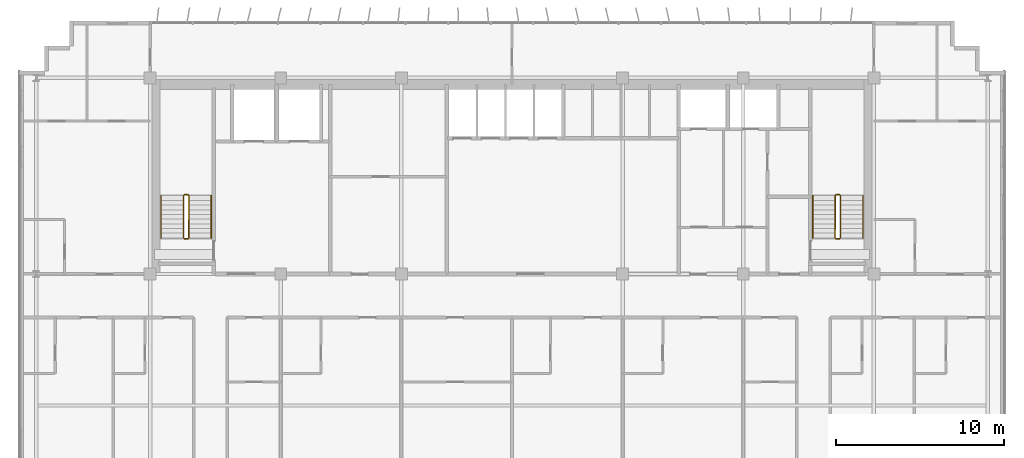
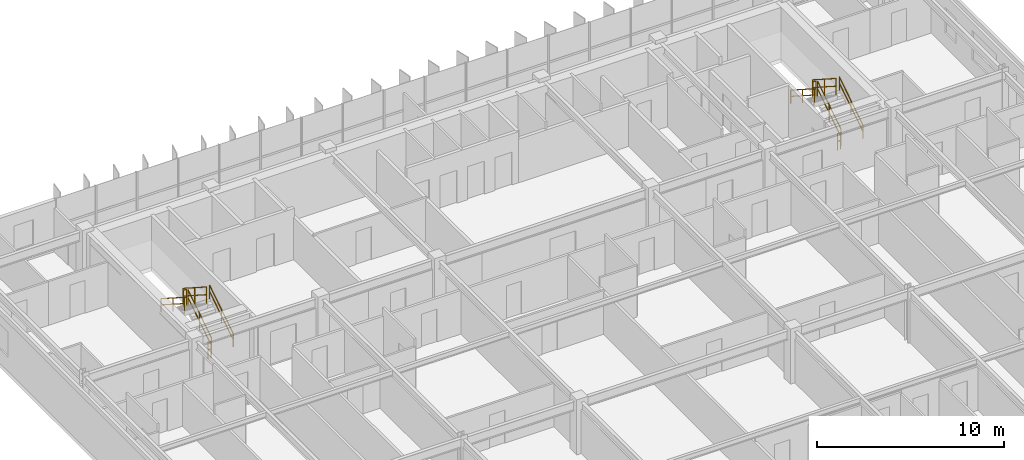
# One storey, part 22 of 22: 12 railings.
"""IFC4 building model written with IfcOpenShell, lengths in metres."""

import ifcopenshell
import ifcopenshell.guid

model = None  # the IFC model being written
_history = None  # IfcOwnerHistory: only IFC2X3 demands one
_inside = {}  # id of a spatial element -> (the spatial element, [elements in it])
_under = {}  # id of a project, library or spatial element -> (it, [spatial elements below it])
_declared = {}  # id of a project -> (the project, [libraries it declares])
_typed = {}  # id of a type object -> (the type object, [elements of that type])
_made_of = {}  # id of a material, layer set ... -> (it, [elements and type objects made of it])


def new_model(schema):
    """Start an empty IFC model of exactly this schema.

    Asked for "IFC4X3", IfcOpenShell would pick the latest addendum, in which some entities
    have other attributes; the version numbers below select the first issue.
    IFC2X3 requires an IfcOwnerHistory on every rooted entity: one is made here for all.
    """
    global model, _history
    if schema == "IFC4X3":
        model = ifcopenshell.file(schema_version=(4, 3, 0, 0))
    else:
        model = ifcopenshell.file(schema=schema)
    _inside.clear()
    _under.clear()
    _declared.clear()
    _typed.clear()
    _made_of.clear()
    _history = None
    if model.schema == "IFC2X3":
        org = make("IfcOrganization", Name="unknown")
        user = make(
            "IfcPersonAndOrganization",
            ThePerson=make("IfcPerson", FamilyName="unknown"),
            TheOrganization=org,
        )
        app = make(
            "IfcApplication",
            ApplicationDeveloper=org,
            Version="unknown",
            ApplicationFullName="unknown",
            ApplicationIdentifier="unknown",
        )
        _history = make(
            "IfcOwnerHistory",
            OwningUser=user,
            OwningApplication=app,
            ChangeAction="ADDED",
            CreationDate=0,
        )
    return model


def make(cls, **values):
    """One entity of the class cls with the attributes given. An attribute that is None is left unset."""
    return model.create_entity(
        cls, **{name: value for name, value in values.items() if value is not None}
    )


def rooted(cls, **values):
    """An entity with a GlobalId (a new one), such as an element, a storey or a relation."""
    return make(cls, GlobalId=ifcopenshell.guid.new(), OwnerHistory=_history, **values)


def si_unit(unit_type, name, prefix=None):
    """IfcSIUnit, for example si_unit("LENGTHUNIT", "METRE", prefix="MILLI")."""
    return make("IfcSIUnit", UnitType=unit_type, Prefix=prefix, Name=name)


def assignment(units):
    """IfcUnitAssignment: the units of a project."""
    return None if units is None else make("IfcUnitAssignment", Units=units)


def point(xyz):
    """IfcCartesianPoint."""
    return None if xyz is None else make("IfcCartesianPoint", Coordinates=xyz)


def direction(xyz):
    """IfcDirection."""
    return None if xyz is None else make("IfcDirection", DirectionRatios=xyz)


def frame(location, z_axis=None, x_axis=None):
    """IfcAxis2Placement3D, a coordinate frame: its origin and axes. An axis left out is left unset."""
    return make(
        "IfcAxis2Placement3D",
        Location=point(location),
        Axis=direction(z_axis),
        RefDirection=direction(x_axis),
    )


def frame_2d(location, x_axis=None):
    """IfcAxis2Placement2D, a coordinate frame in the plane: its origin and x axis."""
    return make(
        "IfcAxis2Placement2D", Location=point(location), RefDirection=direction(x_axis)
    )


def origin():
    """The frame at (0, 0, 0) with its axes left unset."""
    return frame((0.0, 0.0, 0.0))


def origin_2d():
    """The frame at (0, 0) in the plane with its x axis left unset."""
    return frame_2d((0.0, 0.0))


def place(relative_to, where):
    """IfcLocalPlacement: puts the frame where relative to a parent placement (None: the world)."""
    return make(
        "IfcLocalPlacement", PlacementRelTo=relative_to, RelativePlacement=where
    )


def context(
    kind, dimensions, precision=None, world=None, true_north=None, identifier=None
):
    """IfcGeometricRepresentationContext, for example the 3D "Model" context."""
    return make(
        "IfcGeometricRepresentationContext",
        ContextIdentifier=identifier,
        ContextType=kind,
        CoordinateSpaceDimension=dimensions,
        Precision=precision,
        WorldCoordinateSystem=world,
        TrueNorth=true_north,
    )


def subcontext(parent, identifier, kind, view, scale=None):
    """IfcGeometricRepresentationSubContext, for example "Body" below "Model"."""
    return make(
        "IfcGeometricRepresentationSubContext",
        ContextIdentifier=identifier,
        ContextType=kind,
        ParentContext=parent,
        TargetScale=scale,
        TargetView=view,
    )


def project(units=None, contexts=None):
    """IfcProject with its units and contexts."""
    return rooted(
        "IfcProject",
        Name="project",
        RepresentationContexts=contexts,
        UnitsInContext=assignment(units),
    )


def spatial(cls, under=None, at=None, **own):
    """A site, building, storey or space (cls), placed at a placement, below another one or the project."""
    s = rooted(cls, ObjectPlacement=at, **own)
    if under is not None:
        _under.setdefault(under.id(), (under, []))[1].append(s)
    return s


def profile(cls, at=None, kind="AREA", **sizes):
    """A parametric profile (cls). Its sizes go by their IFC names, for example OverallWidth=200.0."""
    return make(cls, ProfileType=kind, Position=at, **sizes)


def rectangle(**sizes):
    """IfcRectangleProfileDef."""
    return profile("IfcRectangleProfileDef", **sizes)


def extrude(swept, where, along, depth):
    """IfcExtrudedAreaSolid: the profile swept, set in the frame where, extruded along a direction by depth."""
    return make(
        "IfcExtrudedAreaSolid",
        SweptArea=swept,
        Position=where,
        ExtrudedDirection=direction(along),
        Depth=depth,
    )


def shape(context_of_items, identifier, shape_type, items):
    """IfcShapeRepresentation: the items that make up one representation, for example the "Body"."""
    return make(
        "IfcShapeRepresentation",
        ContextOfItems=context_of_items,
        RepresentationIdentifier=identifier,
        RepresentationType=shape_type,
        Items=items,
    )


def material(Name=None, Category=None):
    """IfcMaterial."""
    return make("IfcMaterial", Name=Name, Category=Category)


def made_of(thing, what):
    """Note that an element or type object is made of a material, layer set ...; save() writes the relation."""
    if what is not None:
        _made_of.setdefault(what.id(), (what, []))[1].append(thing)
    return thing


def type_object(cls, material=None, **own):
    """A type object (cls), such as IfcWallType, which elements share."""
    return made_of(rooted(cls, **own), material)


def element(
    cls,
    number,
    at=None,
    inside=None,
    cuts=None,
    type_object=None,
    material=None,
    context=None,
    identifier="Body",
    shape_type=None,
    held_by="IfcProductDefinitionShape",
    body=None,
    shapes=None,
    **own,
):
    """One element of the class cls, such as IfcWall. Its Tag is "e" and its number.

    at: its placement. inside: the storey or other place that contains it. cuts: it is an
    opening in that element (IfcRelVoidsElement). A single representation is given by context,
    identifier, shape_type and body (its items); several are given by shapes. held_by: the class
    of the entity that holds the representations. save() writes the other relations.
    """
    e = rooted(cls, Tag="e%d" % number, ObjectPlacement=at, **own)
    if body is not None:
        shapes = [shape(context, identifier, shape_type, body)]
    if shapes is not None:
        e.Representation = make(held_by, Representations=shapes)
    if inside is not None:
        _inside.setdefault(inside.id(), (inside, []))[1].append(e)
    if cuts is not None:
        rooted(
            "IfcRelVoidsElement", RelatingBuildingElement=cuts, RelatedOpeningElement=e
        )
    if type_object is not None:
        _typed.setdefault(type_object.id(), (type_object, []))[1].append(e)
    return made_of(e, material)


def aggregate(whole, parts):
    """IfcRelAggregates: a whole, such as a stair, and the parts it consists of."""
    return rooted("IfcRelAggregates", RelatingObject=whole, RelatedObjects=parts)


def save(model, path):
    """Write the relations noted so far, then the file.

    IfcRelAggregates (storeys below a building ...), IfcRelContainedInSpatialStructure (elements
    in a storey), IfcRelDefinesByType, IfcRelAssociatesMaterial and IfcRelDeclares: one each for
    every whole, place, type object, material and project.
    """
    for whole, parts in _under.values():
        aggregate(whole, parts)
    for where, things in _inside.values():
        rooted(
            "IfcRelContainedInSpatialStructure",
            RelatedElements=things,
            RelatingStructure=where,
        )
    for kind, things in _typed.values():
        rooted("IfcRelDefinesByType", RelatedObjects=things, RelatingType=kind)
    for what, things in _made_of.values():
        rooted("IfcRelAssociatesMaterial", RelatedObjects=things, RelatingMaterial=what)
    for by, libraries in _declared.values():
        rooted("IfcRelDeclares", RelatingContext=by, RelatedDefinitions=libraries)
    model.write(path)


model = new_model("IFC4")

# Units and contexts
model_context = context("Model", 3, precision=1e-05, world=origin(), true_north=direction((0.0, 1.0)))
body_context = subcontext(model_context, "Body", "Model", "MODEL_VIEW")
ifc_project = project(units=[si_unit("LENGTHUNIT", "METRE"), si_unit("AREAUNIT", "SQUARE_METRE"), si_unit("VOLUMEUNIT", "CUBIC_METRE"), si_unit("PLANEANGLEUNIT", "RADIAN"), si_unit("MASSUNIT", "GRAM", prefix="KILO")], contexts=[model_context])

# Site, building, storey
site_placement = place(None, origin())
site = spatial("IfcSite", under=ifc_project, at=site_placement, CompositionType="ELEMENT")
building_placement = place(site_placement, origin())
building = spatial("IfcBuilding", under=site, at=building_placement, Name="Trelvane Seafront Commons", CompositionType="ELEMENT")
storey_placement = place(building_placement, frame((0.0, 0.0, 139.300048828125)))
storey = spatial("IfcBuildingStorey", under=building, at=storey_placement, Name="L36", CompositionType="ELEMENT", Elevation=139.300048828125)

# Railings
ifc_material = material(Name="Stainless steel balustrade", Category="steel")
railing_type_1 = type_object("IfcRailingType", Name="ARCH-SRL-GUARD", PredefinedType="GUARDRAIL", material=ifc_material)
railing_1_placement = place(storey_placement, frame((17.89990234375, 35.550048828125, 0.179931640625)))
element("IfcRailing", 1, at=railing_1_placement, inside=storey, type_object=railing_type_1, Name="L36 ST-1 stair guard 1", PredefinedType="GUARDRAIL", context=body_context, shape_type="SweptSolid", body=[
    extrude(rectangle(XDim=0.048095703125, YDim=0.048095703125, at=origin_2d()), frame((0.0, 0.0, 1.076171875), z_axis=(0.0, 0.841162588446, 0.540782303519), x_axis=(-1.0, 0.0, 0.0)), (0.0, 0.0, 1.0), 2.995849609375),
    extrude(rectangle(XDim=0.048095703125, YDim=0.048095703125, at=origin_2d()), frame((0.0, 0.0, 0.572021484375), z_axis=(0.0, 0.841162588446, 0.540782303519), x_axis=(-1.0, 0.0, 0.0)), (0.0, 0.0, 1.0), 2.995849609375),
    extrude(rectangle(XDim=0.0419921875, YDim=0.0419921875, at=origin_2d()), origin(), (0.0, 0.0, 1.0), 1.076171875),
    extrude(rectangle(XDim=0.0419921875, YDim=0.0419921875, at=origin_2d()), frame((0.0, 1.260009765625, 0.81005859375)), (0.0, 0.0, 1.0), 1.076171875),
    extrude(rectangle(XDim=0.0419921875, YDim=0.0419921875, at=origin_2d()), frame((0.0, 2.52001953125, 1.6201171875)), (0.0, 0.0, 1.0), 1.076171875),
])
railing_2_placement = place(storey_placement, frame((17.85009765625, 38.1201171875, 1.800048828125)))
element("IfcRailing", 2, at=railing_2_placement, inside=storey, type_object=railing_type_1, Name="L36 ST-1 stair guard 2", PredefinedType="GUARDRAIL", context=body_context, shape_type="SweptSolid", body=[
    extrude(rectangle(XDim=0.048095703125, YDim=0.048095703125, at=origin_2d()), frame((0.0, 0.0, 1.076171875), z_axis=(-1.0, 0.0, 0.0), x_axis=(0.0, -1.0, 0.0)), (0.0, 0.0, 1.0), 0.2001953125),
    extrude(rectangle(XDim=0.048095703125, YDim=0.048095703125, at=origin_2d()), frame((0.0, 0.0, 0.572021484375), z_axis=(-1.0, 0.0, 0.0), x_axis=(0.0, -1.0, 0.0)), (0.0, 0.0, 1.0), 0.2001953125),
    extrude(rectangle(XDim=0.0419921875, YDim=0.0419921875, at=origin_2d()), origin(), (0.0, 0.0, 1.0), 1.076171875),
    extrude(rectangle(XDim=0.0419921875, YDim=0.0419921875, at=origin_2d()), frame((-0.2001953125, 0.0, 0.0)), (0.0, 0.0, 1.0), 1.076171875),
])
railing_3_placement = place(storey_placement, frame((17.60009765625, 38.070068359375, 1.97998046875)))
element("IfcRailing", 3, at=railing_3_placement, inside=storey, type_object=railing_type_1, Name="L36 ST-1 stair guard 3", PredefinedType="GUARDRAIL", context=body_context, shape_type="SweptSolid", body=[
    extrude(rectangle(XDim=0.048095703125, YDim=0.048095703125, at=origin_2d()), frame((0.0, 0.0, 1.076171875), z_axis=(0.0, -0.841199657755, 0.540724639528), x_axis=(1.0, 0.0, 0.0)), (0.0, 0.0, 1.0), 2.995849609375),
    extrude(rectangle(XDim=0.048095703125, YDim=0.048095703125, at=origin_2d()), frame((0.0, 0.0, 0.572021484375), z_axis=(0.0, -0.841199657755, 0.540724639528), x_axis=(1.0, 0.0, 0.0)), (0.0, 0.0, 1.0), 2.995849609375),
    extrude(rectangle(XDim=0.0419921875, YDim=0.0419921875, at=origin_2d()), origin(), (0.0, 0.0, 1.0), 1.076171875),
    extrude(rectangle(XDim=0.0419921875, YDim=0.0419921875, at=origin_2d()), frame((0.0, -1.260009765625, 0.81005859375)), (0.0, 0.0, 1.0), 1.076171875),
    extrude(rectangle(XDim=0.0419921875, YDim=0.0419921875, at=origin_2d()), frame((0.0, -2.52001953125, 1.619873046875)), (0.0, 0.0, 1.0), 1.076171875),
])
railing_4_placement = place(storey_placement, frame((17.85009765625, 35.5, 0.0)))
element("IfcRailing", 4, at=railing_4_placement, inside=storey, type_object=railing_type_1, Name="L36 ST-1 stair guard 4", PredefinedType="GUARDRAIL", context=body_context, shape_type="SweptSolid", body=[
    extrude(rectangle(XDim=0.048095703125, YDim=0.048095703125, at=origin_2d()), frame((0.0, 0.0, 1.076171875), z_axis=(-1.0, 0.0, 0.0), x_axis=(0.0, -1.0, 0.0)), (0.0, 0.0, 1.0), 0.2001953125),
    extrude(rectangle(XDim=0.048095703125, YDim=0.048095703125, at=origin_2d()), frame((0.0, 0.0, 0.572021484375), z_axis=(-1.0, 0.0, 0.0), x_axis=(0.0, -1.0, 0.0)), (0.0, 0.0, 1.0), 0.2001953125),
    extrude(rectangle(XDim=0.0419921875, YDim=0.0419921875, at=origin_2d()), origin(), (0.0, 0.0, 1.0), 1.076171875),
    extrude(rectangle(XDim=0.0419921875, YDim=0.0419921875, at=origin_2d()), frame((-0.2001953125, 0.0, 0.0)), (0.0, 0.0, 1.0), 1.076171875),
])
railing_5_placement = place(storey_placement, frame((56.800048828125, 35.550048828125, 0.179931640625)))
element("IfcRailing", 5, at=railing_5_placement, inside=storey, type_object=railing_type_1, Name="L36 ST-2 stair guard 1", PredefinedType="GUARDRAIL", context=body_context, shape_type="SweptSolid", body=[
    extrude(rectangle(XDim=0.048095703125, YDim=0.048095703125, at=origin_2d()), frame((0.0, 0.0, 1.076171875), z_axis=(0.0, 0.841162588446, 0.540782303519), x_axis=(-1.0, 0.0, 0.0)), (0.0, 0.0, 1.0), 2.995849609375),
    extrude(rectangle(XDim=0.048095703125, YDim=0.048095703125, at=origin_2d()), frame((0.0, 0.0, 0.572021484375), z_axis=(0.0, 0.841162588446, 0.540782303519), x_axis=(-1.0, 0.0, 0.0)), (0.0, 0.0, 1.0), 2.995849609375),
    extrude(rectangle(XDim=0.0419921875, YDim=0.0419921875, at=origin_2d()), origin(), (0.0, 0.0, 1.0), 1.076171875),
    extrude(rectangle(XDim=0.0419921875, YDim=0.0419921875, at=origin_2d()), frame((0.0, 1.260009765625, 0.81005859375)), (0.0, 0.0, 1.0), 1.076171875),
    extrude(rectangle(XDim=0.0419921875, YDim=0.0419921875, at=origin_2d()), frame((0.0, 2.52001953125, 1.6201171875)), (0.0, 0.0, 1.0), 1.076171875),
])
railing_6_placement = place(storey_placement, frame((56.75, 38.1201171875, 1.800048828125)))
element("IfcRailing", 6, at=railing_6_placement, inside=storey, type_object=railing_type_1, Name="L36 ST-2 stair guard 2", PredefinedType="GUARDRAIL", context=body_context, shape_type="SweptSolid", body=[
    extrude(rectangle(XDim=0.048095703125, YDim=0.048095703125, at=origin_2d()), frame((0.0, 0.0, 1.076171875), z_axis=(-1.0, 0.0, 0.0), x_axis=(0.0, -1.0, 0.0)), (0.0, 0.0, 1.0), 0.199951171875),
    extrude(rectangle(XDim=0.048095703125, YDim=0.048095703125, at=origin_2d()), frame((0.0, 0.0, 0.572021484375), z_axis=(-1.0, 0.0, 0.0), x_axis=(0.0, -1.0, 0.0)), (0.0, 0.0, 1.0), 0.199951171875),
    extrude(rectangle(XDim=0.0419921875, YDim=0.0419921875, at=origin_2d()), origin(), (0.0, 0.0, 1.0), 1.076171875),
    extrude(rectangle(XDim=0.0419921875, YDim=0.0419921875, at=origin_2d()), frame((-0.199951171875, 0.0, 0.0)), (0.0, 0.0, 1.0), 1.076171875),
])
railing_7_placement = place(storey_placement, frame((56.5, 38.070068359375, 1.97998046875)))
element("IfcRailing", 7, at=railing_7_placement, inside=storey, type_object=railing_type_1, Name="L36 ST-2 stair guard 3", PredefinedType="GUARDRAIL", context=body_context, shape_type="SweptSolid", body=[
    extrude(rectangle(XDim=0.048095703125, YDim=0.048095703125, at=origin_2d()), frame((0.0, 0.0, 1.076171875), z_axis=(0.0, -0.841199657755, 0.540724639528), x_axis=(1.0, 0.0, 0.0)), (0.0, 0.0, 1.0), 2.995849609375),
    extrude(rectangle(XDim=0.048095703125, YDim=0.048095703125, at=origin_2d()), frame((0.0, 0.0, 0.572021484375), z_axis=(0.0, -0.841199657755, 0.540724639528), x_axis=(1.0, 0.0, 0.0)), (0.0, 0.0, 1.0), 2.995849609375),
    extrude(rectangle(XDim=0.0419921875, YDim=0.0419921875, at=origin_2d()), origin(), (0.0, 0.0, 1.0), 1.076171875),
    extrude(rectangle(XDim=0.0419921875, YDim=0.0419921875, at=origin_2d()), frame((0.0, -1.260009765625, 0.81005859375)), (0.0, 0.0, 1.0), 1.076171875),
    extrude(rectangle(XDim=0.0419921875, YDim=0.0419921875, at=origin_2d()), frame((0.0, -2.52001953125, 1.619873046875)), (0.0, 0.0, 1.0), 1.076171875),
])
railing_8_placement = place(storey_placement, frame((56.75, 35.5, 0.0)))
element("IfcRailing", 8, at=railing_8_placement, inside=storey, type_object=railing_type_1, Name="L36 ST-2 stair guard 4", PredefinedType="GUARDRAIL", context=body_context, shape_type="SweptSolid", body=[
    extrude(rectangle(XDim=0.048095703125, YDim=0.048095703125, at=origin_2d()), frame((0.0, 0.0, 1.076171875), z_axis=(-1.0, 0.0, 0.0), x_axis=(0.0, -1.0, 0.0)), (0.0, 0.0, 1.0), 0.199951171875),
    extrude(rectangle(XDim=0.048095703125, YDim=0.048095703125, at=origin_2d()), frame((0.0, 0.0, 0.572021484375), z_axis=(-1.0, 0.0, 0.0), x_axis=(0.0, -1.0, 0.0)), (0.0, 0.0, 1.0), 0.199951171875),
    extrude(rectangle(XDim=0.0419921875, YDim=0.0419921875, at=origin_2d()), origin(), (0.0, 0.0, 1.0), 1.076171875),
    extrude(rectangle(XDim=0.0419921875, YDim=0.0419921875, at=origin_2d()), frame((-0.199951171875, 0.0, 0.0)), (0.0, 0.0, 1.0), 1.076171875),
])
railing_type_2 = type_object("IfcRailingType", Name="ARCH-SRL-HAND", PredefinedType="HANDRAIL", material=ifc_material)
railing_9_placement = place(storey_placement, frame((19.25, 35.550048828125, 0.179931640625)))
element("IfcRailing", 9, at=railing_9_placement, inside=storey, type_object=railing_type_2, Name="L36 ST-1 stair handrail 1", PredefinedType="HANDRAIL", context=body_context, shape_type="SweptSolid", body=[
    extrude(rectangle(XDim=0.048095703125, YDim=0.048095703125, at=origin_2d()), frame((0.0, 0.0, 0.8759765625), z_axis=(0.0, 0.841162588446, 0.540782303519), x_axis=(-1.0, 0.0, 0.0)), (0.0, 0.0, 1.0), 2.995849609375),
    extrude(rectangle(XDim=0.048095703125, YDim=0.048095703125, at=origin_2d()), frame((0.0, 0.0, 0.468017578125), z_axis=(0.0, 0.841162588446, 0.540782303519), x_axis=(-1.0, 0.0, 0.0)), (0.0, 0.0, 1.0), 2.995849609375),
    extrude(rectangle(XDim=0.0419921875, YDim=0.0419921875, at=origin_2d()), origin(), (0.0, 0.0, 1.0), 0.8759765625),
    extrude(rectangle(XDim=0.0419921875, YDim=0.0419921875, at=origin_2d()), frame((0.0, 1.260009765625, 0.81005859375)), (0.0, 0.0, 1.0), 0.8759765625),
    extrude(rectangle(XDim=0.0419921875, YDim=0.0419921875, at=origin_2d()), frame((0.0, 2.52001953125, 1.6201171875)), (0.0, 0.0, 1.0), 0.8759765625),
])
railing_10_placement = place(storey_placement, frame((16.25, 38.070068359375, 1.97998046875)))
element("IfcRailing", 10, at=railing_10_placement, inside=storey, type_object=railing_type_2, Name="L36 ST-1 stair handrail 2", PredefinedType="HANDRAIL", context=body_context, shape_type="SweptSolid", body=[
    extrude(rectangle(XDim=0.048095703125, YDim=0.048095703125, at=origin_2d()), frame((0.0, 0.0, 0.8759765625), z_axis=(0.0, -0.841199657755, 0.540724639528), x_axis=(1.0, 0.0, 0.0)), (0.0, 0.0, 1.0), 2.995849609375),
    extrude(rectangle(XDim=0.048095703125, YDim=0.048095703125, at=origin_2d()), frame((0.0, 0.0, 0.468017578125), z_axis=(0.0, -0.841199657755, 0.540724639528), x_axis=(1.0, 0.0, 0.0)), (0.0, 0.0, 1.0), 2.995849609375),
    extrude(rectangle(XDim=0.0419921875, YDim=0.0419921875, at=origin_2d()), origin(), (0.0, 0.0, 1.0), 0.8759765625),
    extrude(rectangle(XDim=0.0419921875, YDim=0.0419921875, at=origin_2d()), frame((0.0, -1.260009765625, 0.81005859375)), (0.0, 0.0, 1.0), 0.8759765625),
    extrude(rectangle(XDim=0.0419921875, YDim=0.0419921875, at=origin_2d()), frame((0.0, -2.52001953125, 1.619873046875)), (0.0, 0.0, 1.0), 0.8759765625),
])
railing_11_placement = place(storey_placement, frame((58.14990234375, 35.550048828125, 0.179931640625)))
element("IfcRailing", 11, at=railing_11_placement, inside=storey, type_object=railing_type_2, Name="L36 ST-2 stair handrail 1", PredefinedType="HANDRAIL", context=body_context, shape_type="SweptSolid", body=[
    extrude(rectangle(XDim=0.048095703125, YDim=0.048095703125, at=origin_2d()), frame((0.0, 0.0, 0.8759765625), z_axis=(0.0, 0.841162588446, 0.540782303519), x_axis=(-1.0, 0.0, 0.0)), (0.0, 0.0, 1.0), 2.995849609375),
    extrude(rectangle(XDim=0.048095703125, YDim=0.048095703125, at=origin_2d()), frame((0.0, 0.0, 0.468017578125), z_axis=(0.0, 0.841162588446, 0.540782303519), x_axis=(-1.0, 0.0, 0.0)), (0.0, 0.0, 1.0), 2.995849609375),
    extrude(rectangle(XDim=0.0419921875, YDim=0.0419921875, at=origin_2d()), origin(), (0.0, 0.0, 1.0), 0.8759765625),
    extrude(rectangle(XDim=0.0419921875, YDim=0.0419921875, at=origin_2d()), frame((0.0, 1.260009765625, 0.81005859375)), (0.0, 0.0, 1.0), 0.8759765625),
    extrude(rectangle(XDim=0.0419921875, YDim=0.0419921875, at=origin_2d()), frame((0.0, 2.52001953125, 1.6201171875)), (0.0, 0.0, 1.0), 0.8759765625),
])
railing_12_placement = place(storey_placement, frame((55.14990234375, 38.070068359375, 1.97998046875)))
element("IfcRailing", 12, at=railing_12_placement, inside=storey, type_object=railing_type_2, Name="L36 ST-2 stair handrail 2", PredefinedType="HANDRAIL", context=body_context, shape_type="SweptSolid", body=[
    extrude(rectangle(XDim=0.048095703125, YDim=0.048095703125, at=origin_2d()), frame((0.0, 0.0, 0.8759765625), z_axis=(0.0, -0.841199657755, 0.540724639528), x_axis=(1.0, 0.0, 0.0)), (0.0, 0.0, 1.0), 2.995849609375),
    extrude(rectangle(XDim=0.048095703125, YDim=0.048095703125, at=origin_2d()), frame((0.0, 0.0, 0.468017578125), z_axis=(0.0, -0.841199657755, 0.540724639528), x_axis=(1.0, 0.0, 0.0)), (0.0, 0.0, 1.0), 2.995849609375),
    extrude(rectangle(XDim=0.0419921875, YDim=0.0419921875, at=origin_2d()), origin(), (0.0, 0.0, 1.0), 0.8759765625),
    extrude(rectangle(XDim=0.0419921875, YDim=0.0419921875, at=origin_2d()), frame((0.0, -1.260009765625, 0.81005859375)), (0.0, 0.0, 1.0), 0.8759765625),
    extrude(rectangle(XDim=0.0419921875, YDim=0.0419921875, at=origin_2d()), frame((0.0, -2.52001953125, 1.619873046875)), (0.0, 0.0, 1.0), 0.8759765625),
])

save(model, "model.ifc")
